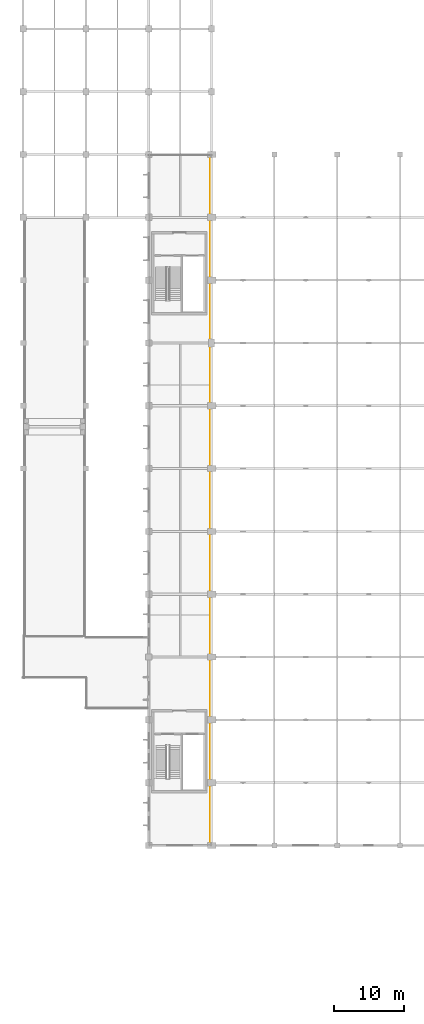
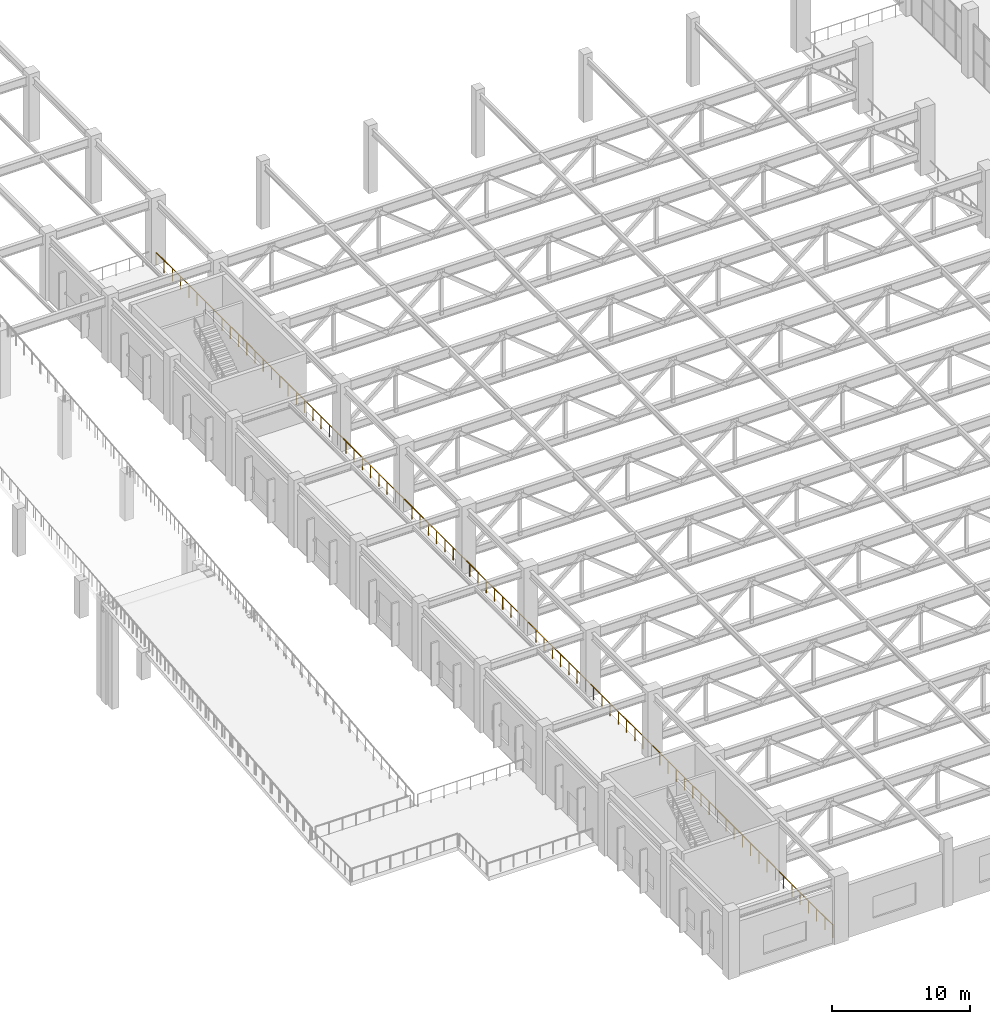
# One storey, part 205 of 223: 1 railing.
"""IFC4 building model written with IfcOpenShell, lengths in metres."""

import ifcopenshell
import ifcopenshell.guid

model = None  # the IFC model being written
_history = None  # IfcOwnerHistory: only IFC2X3 demands one
_inside = {}  # id of a spatial element -> (the spatial element, [elements in it])
_under = {}  # id of a project, library or spatial element -> (it, [spatial elements below it])
_declared = {}  # id of a project -> (the project, [libraries it declares])
_typed = {}  # id of a type object -> (the type object, [elements of that type])
_made_of = {}  # id of a material, layer set ... -> (it, [elements and type objects made of it])


def new_model(schema):
    """Start an empty IFC model of exactly this schema.

    Asked for "IFC4X3", IfcOpenShell would pick the latest addendum, in which some entities
    have other attributes; the version numbers below select the first issue.
    IFC2X3 requires an IfcOwnerHistory on every rooted entity: one is made here for all.
    """
    global model, _history
    if schema == "IFC4X3":
        model = ifcopenshell.file(schema_version=(4, 3, 0, 0))
    else:
        model = ifcopenshell.file(schema=schema)
    _inside.clear()
    _under.clear()
    _declared.clear()
    _typed.clear()
    _made_of.clear()
    _history = None
    if model.schema == "IFC2X3":
        org = make("IfcOrganization", Name="unknown")
        user = make(
            "IfcPersonAndOrganization",
            ThePerson=make("IfcPerson", FamilyName="unknown"),
            TheOrganization=org,
        )
        app = make(
            "IfcApplication",
            ApplicationDeveloper=org,
            Version="unknown",
            ApplicationFullName="unknown",
            ApplicationIdentifier="unknown",
        )
        _history = make(
            "IfcOwnerHistory",
            OwningUser=user,
            OwningApplication=app,
            ChangeAction="ADDED",
            CreationDate=0,
        )
    return model


def make(cls, **values):
    """One entity of the class cls with the attributes given. An attribute that is None is left unset."""
    return model.create_entity(
        cls, **{name: value for name, value in values.items() if value is not None}
    )


def rooted(cls, **values):
    """An entity with a GlobalId (a new one), such as an element, a storey or a relation."""
    return make(cls, GlobalId=ifcopenshell.guid.new(), OwnerHistory=_history, **values)


def si_unit(unit_type, name, prefix=None):
    """IfcSIUnit, for example si_unit("LENGTHUNIT", "METRE", prefix="MILLI")."""
    return make("IfcSIUnit", UnitType=unit_type, Prefix=prefix, Name=name)


def assignment(units):
    """IfcUnitAssignment: the units of a project."""
    return None if units is None else make("IfcUnitAssignment", Units=units)


def point(xyz):
    """IfcCartesianPoint."""
    return None if xyz is None else make("IfcCartesianPoint", Coordinates=xyz)


def direction(xyz):
    """IfcDirection."""
    return None if xyz is None else make("IfcDirection", DirectionRatios=xyz)


def frame(location, z_axis=None, x_axis=None):
    """IfcAxis2Placement3D, a coordinate frame: its origin and axes. An axis left out is left unset."""
    return make(
        "IfcAxis2Placement3D",
        Location=point(location),
        Axis=direction(z_axis),
        RefDirection=direction(x_axis),
    )


def frame_2d(location, x_axis=None):
    """IfcAxis2Placement2D, a coordinate frame in the plane: its origin and x axis."""
    return make(
        "IfcAxis2Placement2D", Location=point(location), RefDirection=direction(x_axis)
    )


def origin():
    """The frame at (0, 0, 0) with its axes left unset."""
    return frame((0.0, 0.0, 0.0))


def origin_2d():
    """The frame at (0, 0) in the plane with its x axis left unset."""
    return frame_2d((0.0, 0.0))


def place(relative_to, where):
    """IfcLocalPlacement: puts the frame where relative to a parent placement (None: the world)."""
    return make(
        "IfcLocalPlacement", PlacementRelTo=relative_to, RelativePlacement=where
    )


def context(
    kind, dimensions, precision=None, world=None, true_north=None, identifier=None
):
    """IfcGeometricRepresentationContext, for example the 3D "Model" context."""
    return make(
        "IfcGeometricRepresentationContext",
        ContextIdentifier=identifier,
        ContextType=kind,
        CoordinateSpaceDimension=dimensions,
        Precision=precision,
        WorldCoordinateSystem=world,
        TrueNorth=true_north,
    )


def subcontext(parent, identifier, kind, view, scale=None):
    """IfcGeometricRepresentationSubContext, for example "Body" below "Model"."""
    return make(
        "IfcGeometricRepresentationSubContext",
        ContextIdentifier=identifier,
        ContextType=kind,
        ParentContext=parent,
        TargetScale=scale,
        TargetView=view,
    )


def project(units=None, contexts=None):
    """IfcProject with its units and contexts."""
    return rooted(
        "IfcProject",
        Name="project",
        RepresentationContexts=contexts,
        UnitsInContext=assignment(units),
    )


def spatial(cls, under=None, at=None, **own):
    """A site, building, storey or space (cls), placed at a placement, below another one or the project."""
    s = rooted(cls, ObjectPlacement=at, **own)
    if under is not None:
        _under.setdefault(under.id(), (under, []))[1].append(s)
    return s


def profile(cls, at=None, kind="AREA", **sizes):
    """A parametric profile (cls). Its sizes go by their IFC names, for example OverallWidth=200.0."""
    return make(cls, ProfileType=kind, Position=at, **sizes)


def circle(**sizes):
    """IfcCircleProfileDef."""
    return profile("IfcCircleProfileDef", **sizes)


def extrude(swept, where, along, depth):
    """IfcExtrudedAreaSolid: the profile swept, set in the frame where, extruded along a direction by depth."""
    return make(
        "IfcExtrudedAreaSolid",
        SweptArea=swept,
        Position=where,
        ExtrudedDirection=direction(along),
        Depth=depth,
    )


def shape(context_of_items, identifier, shape_type, items):
    """IfcShapeRepresentation: the items that make up one representation, for example the "Body"."""
    return make(
        "IfcShapeRepresentation",
        ContextOfItems=context_of_items,
        RepresentationIdentifier=identifier,
        RepresentationType=shape_type,
        Items=items,
    )


def material(Name=None, Category=None):
    """IfcMaterial."""
    return make("IfcMaterial", Name=Name, Category=Category)


def made_of(thing, what):
    """Note that an element or type object is made of a material, layer set ...; save() writes the relation."""
    if what is not None:
        _made_of.setdefault(what.id(), (what, []))[1].append(thing)
    return thing


def type_object(cls, material=None, **own):
    """A type object (cls), such as IfcWallType, which elements share."""
    return made_of(rooted(cls, **own), material)


def element(
    cls,
    number,
    at=None,
    inside=None,
    cuts=None,
    type_object=None,
    material=None,
    context=None,
    identifier="Body",
    shape_type=None,
    held_by="IfcProductDefinitionShape",
    body=None,
    shapes=None,
    **own,
):
    """One element of the class cls, such as IfcWall. Its Tag is "e" and its number.

    at: its placement. inside: the storey or other place that contains it. cuts: it is an
    opening in that element (IfcRelVoidsElement). A single representation is given by context,
    identifier, shape_type and body (its items); several are given by shapes. held_by: the class
    of the entity that holds the representations. save() writes the other relations.
    """
    e = rooted(cls, Tag="e%d" % number, ObjectPlacement=at, **own)
    if body is not None:
        shapes = [shape(context, identifier, shape_type, body)]
    if shapes is not None:
        e.Representation = make(held_by, Representations=shapes)
    if inside is not None:
        _inside.setdefault(inside.id(), (inside, []))[1].append(e)
    if cuts is not None:
        rooted(
            "IfcRelVoidsElement", RelatingBuildingElement=cuts, RelatedOpeningElement=e
        )
    if type_object is not None:
        _typed.setdefault(type_object.id(), (type_object, []))[1].append(e)
    return made_of(e, material)


def aggregate(whole, parts):
    """IfcRelAggregates: a whole, such as a stair, and the parts it consists of."""
    return rooted("IfcRelAggregates", RelatingObject=whole, RelatedObjects=parts)


def save(model, path):
    """Write the relations noted so far, then the file.

    IfcRelAggregates (storeys below a building ...), IfcRelContainedInSpatialStructure (elements
    in a storey), IfcRelDefinesByType, IfcRelAssociatesMaterial and IfcRelDeclares: one each for
    every whole, place, type object, material and project.
    """
    for whole, parts in _under.values():
        aggregate(whole, parts)
    for where, things in _inside.values():
        rooted(
            "IfcRelContainedInSpatialStructure",
            RelatedElements=things,
            RelatingStructure=where,
        )
    for kind, things in _typed.values():
        rooted("IfcRelDefinesByType", RelatedObjects=things, RelatingType=kind)
    for what, things in _made_of.values():
        rooted("IfcRelAssociatesMaterial", RelatedObjects=things, RelatingMaterial=what)
    for by, libraries in _declared.values():
        rooted("IfcRelDeclares", RelatingContext=by, RelatedDefinitions=libraries)
    model.write(path)


model = new_model("IFC4")

# Units and contexts
model_context = context("Model", 3, precision=1e-05, world=origin(), true_north=direction((0.0, 1.0)))
body_context = subcontext(model_context, "Body", "Model", "MODEL_VIEW")
ifc_project = project(units=[si_unit("LENGTHUNIT", "METRE"), si_unit("AREAUNIT", "SQUARE_METRE"), si_unit("VOLUMEUNIT", "CUBIC_METRE"), si_unit("PLANEANGLEUNIT", "RADIAN"), si_unit("MASSUNIT", "GRAM", prefix="KILO")], contexts=[model_context])

# Site, building, storey
site_placement = place(None, origin())
site = spatial("IfcSite", under=ifc_project, at=site_placement, CompositionType="ELEMENT")
building_placement = place(site_placement, origin())
building = spatial("IfcBuilding", under=site, at=building_placement, Name="Dornveld Trade and Exhibition Forum", CompositionType="ELEMENT")
storey_placement = place(building_placement, frame((0.0, 0.0, 6.0)))
storey = spatial("IfcBuildingStorey", under=building, at=storey_placement, Name="L01", CompositionType="ELEMENT", Elevation=6.0)

# Railing
ifc_material = material(Name="Dark-bronze steel and laminated glass balustrade", Category="steel")
railing_type = type_object("IfcRailingType", Name="RL-BALUST-CONC", PredefinedType="BALUSTRADE", material=ifc_material)
railing_placement = place(storey_placement, frame((26.800048828125, 36.39990234375, 0.0)))
element("IfcRailing", 1, at=railing_placement, inside=storey, type_object=railing_type, Name="L01 protective edge guard 21", PredefinedType="BALUSTRADE", context=body_context, shape_type="SweptSolid", body=[
    extrude(circle(Radius=0.02490234375, at=origin_2d()), frame((0.0, 0.0, 1.09521484375), z_axis=(0.0, 1.0, 0.0), x_axis=(-1.0, 0.0, 0.0)), (0.0, 0.0, 1.0), 98.2001953125),
    extrude(circle(Radius=0.02099609375, at=origin_2d()), origin(), (0.0, 0.0, 1.0), 1.070068359375),
    extrude(circle(Radius=0.02099609375, at=origin_2d()), frame((0.0, 1.197509765625, 0.0)), (0.0, 0.0, 1.0), 1.070068359375),
    extrude(circle(Radius=0.02099609375, at=origin_2d()), frame((0.0, 2.39501953125, 0.0)), (0.0, 0.0, 1.0), 1.070068359375),
    extrude(circle(Radius=0.02099609375, at=origin_2d()), frame((0.0, 3.5927734375, 0.0)), (0.0, 0.0, 1.0), 1.070068359375),
    extrude(circle(Radius=0.02099609375, at=origin_2d()), frame((0.0, 4.790283203125, 0.0)), (0.0, 0.0, 1.0), 1.070068359375),
    extrude(circle(Radius=0.02099609375, at=origin_2d()), frame((0.0, 5.98779296875, 0.0)), (0.0, 0.0, 1.0), 1.070068359375),
    extrude(circle(Radius=0.02099609375, at=origin_2d()), frame((0.0, 7.185302734375, 0.0)), (0.0, 0.0, 1.0), 1.070068359375),
    extrude(circle(Radius=0.02099609375, at=origin_2d()), frame((0.0, 8.383056640625, 0.0)), (0.0, 0.0, 1.0), 1.070068359375),
    extrude(circle(Radius=0.02099609375, at=origin_2d()), frame((0.0, 9.58056640625, 0.0)), (0.0, 0.0, 1.0), 1.070068359375),
    extrude(circle(Radius=0.02099609375, at=origin_2d()), frame((0.0, 10.778076171875, 0.0)), (0.0, 0.0, 1.0), 1.070068359375),
    extrude(circle(Radius=0.02099609375, at=origin_2d()), frame((0.0, 11.9755859375, 0.0)), (0.0, 0.0, 1.0), 1.070068359375),
    extrude(circle(Radius=0.02099609375, at=origin_2d()), frame((0.0, 13.173095703125, 0.0)), (0.0, 0.0, 1.0), 1.070068359375),
    extrude(circle(Radius=0.02099609375, at=origin_2d()), frame((0.0, 14.370849609375, 0.0)), (0.0, 0.0, 1.0), 1.070068359375),
    extrude(circle(Radius=0.02099609375, at=origin_2d()), frame((0.0, 15.568359375, 0.0)), (0.0, 0.0, 1.0), 1.070068359375),
    extrude(circle(Radius=0.02099609375, at=origin_2d()), frame((0.0, 16.765869140625, 0.0)), (0.0, 0.0, 1.0), 1.070068359375),
    extrude(circle(Radius=0.02099609375, at=origin_2d()), frame((0.0, 17.96337890625, 0.0)), (0.0, 0.0, 1.0), 1.070068359375),
    extrude(circle(Radius=0.02099609375, at=origin_2d()), frame((0.0, 19.1611328125, 0.0)), (0.0, 0.0, 1.0), 1.070068359375),
    extrude(circle(Radius=0.02099609375, at=origin_2d()), frame((0.0, 20.358642578125, 0.0)), (0.0, 0.0, 1.0), 1.070068359375),
    extrude(circle(Radius=0.02099609375, at=origin_2d()), frame((0.0, 21.55615234375, 0.0)), (0.0, 0.0, 1.0), 1.070068359375),
    extrude(circle(Radius=0.02099609375, at=origin_2d()), frame((0.0, 22.753662109375, 0.0)), (0.0, 0.0, 1.0), 1.070068359375),
    extrude(circle(Radius=0.02099609375, at=origin_2d()), frame((0.0, 23.951171875, 0.0)), (0.0, 0.0, 1.0), 1.070068359375),
    extrude(circle(Radius=0.02099609375, at=origin_2d()), frame((0.0, 25.14892578125, 0.0)), (0.0, 0.0, 1.0), 1.070068359375),
    extrude(circle(Radius=0.02099609375, at=origin_2d()), frame((0.0, 26.346435546875, 0.0)), (0.0, 0.0, 1.0), 1.070068359375),
    extrude(circle(Radius=0.02099609375, at=origin_2d()), frame((0.0, 27.5439453125, 0.0)), (0.0, 0.0, 1.0), 1.070068359375),
    extrude(circle(Radius=0.02099609375, at=origin_2d()), frame((0.0, 28.741455078125, 0.0)), (0.0, 0.0, 1.0), 1.070068359375),
    extrude(circle(Radius=0.02099609375, at=origin_2d()), frame((0.0, 29.93896484375, 0.0)), (0.0, 0.0, 1.0), 1.070068359375),
    extrude(circle(Radius=0.02099609375, at=origin_2d()), frame((0.0, 31.13671875, 0.0)), (0.0, 0.0, 1.0), 1.070068359375),
    extrude(circle(Radius=0.02099609375, at=origin_2d()), frame((0.0, 32.334228515625, 0.0)), (0.0, 0.0, 1.0), 1.070068359375),
    extrude(circle(Radius=0.02099609375, at=origin_2d()), frame((0.0, 33.53173828125, 0.0)), (0.0, 0.0, 1.0), 1.070068359375),
    extrude(circle(Radius=0.02099609375, at=origin_2d()), frame((0.0, 34.729248046875, 0.0)), (0.0, 0.0, 1.0), 1.070068359375),
    extrude(circle(Radius=0.02099609375, at=origin_2d()), frame((0.0, 35.927001953125, 0.0)), (0.0, 0.0, 1.0), 1.070068359375),
    extrude(circle(Radius=0.02099609375, at=origin_2d()), frame((0.0, 37.12451171875, 0.0)), (0.0, 0.0, 1.0), 1.070068359375),
    extrude(circle(Radius=0.02099609375, at=origin_2d()), frame((0.0, 38.322021484375, 0.0)), (0.0, 0.0, 1.0), 1.070068359375),
    extrude(circle(Radius=0.02099609375, at=origin_2d()), frame((0.0, 39.51953125, 0.0)), (0.0, 0.0, 1.0), 1.070068359375),
    extrude(circle(Radius=0.02099609375, at=origin_2d()), frame((0.0, 40.717041015625, 0.0)), (0.0, 0.0, 1.0), 1.070068359375),
    extrude(circle(Radius=0.02099609375, at=origin_2d()), frame((0.0, 41.914794921875, 0.0)), (0.0, 0.0, 1.0), 1.070068359375),
    extrude(circle(Radius=0.02099609375, at=origin_2d()), frame((0.0, 43.1123046875, 0.0)), (0.0, 0.0, 1.0), 1.070068359375),
    extrude(circle(Radius=0.02099609375, at=origin_2d()), frame((0.0, 44.309814453125, 0.0)), (0.0, 0.0, 1.0), 1.070068359375),
    extrude(circle(Radius=0.02099609375, at=origin_2d()), frame((0.0, 45.50732421875, 0.0)), (0.0, 0.0, 1.0), 1.070068359375),
    extrude(circle(Radius=0.02099609375, at=origin_2d()), frame((0.0, 46.705078125, 0.0)), (0.0, 0.0, 1.0), 1.070068359375),
    extrude(circle(Radius=0.02099609375, at=origin_2d()), frame((0.0, 47.902587890625, 0.0)), (0.0, 0.0, 1.0), 1.070068359375),
    extrude(circle(Radius=0.02099609375, at=origin_2d()), frame((0.0, 49.10009765625, 0.0)), (0.0, 0.0, 1.0), 1.070068359375),
    extrude(circle(Radius=0.02099609375, at=origin_2d()), frame((0.0, 50.297607421875, 0.0)), (0.0, 0.0, 1.0), 1.070068359375),
    extrude(circle(Radius=0.02099609375, at=origin_2d()), frame((0.0, 51.4951171875, 0.0)), (0.0, 0.0, 1.0), 1.070068359375),
    extrude(circle(Radius=0.02099609375, at=origin_2d()), frame((0.0, 52.69287109375, 0.0)), (0.0, 0.0, 1.0), 1.070068359375),
    extrude(circle(Radius=0.02099609375, at=origin_2d()), frame((0.0, 53.890380859375, 0.0)), (0.0, 0.0, 1.0), 1.070068359375),
    extrude(circle(Radius=0.02099609375, at=origin_2d()), frame((0.0, 55.087890625, 0.0)), (0.0, 0.0, 1.0), 1.070068359375),
    extrude(circle(Radius=0.02099609375, at=origin_2d()), frame((0.0, 56.285400390625, 0.0)), (0.0, 0.0, 1.0), 1.070068359375),
    extrude(circle(Radius=0.02099609375, at=origin_2d()), frame((0.0, 57.483154296875, 0.0)), (0.0, 0.0, 1.0), 1.070068359375),
    extrude(circle(Radius=0.02099609375, at=origin_2d()), frame((0.0, 58.6806640625, 0.0)), (0.0, 0.0, 1.0), 1.070068359375),
    extrude(circle(Radius=0.02099609375, at=origin_2d()), frame((0.0, 59.878173828125, 0.0)), (0.0, 0.0, 1.0), 1.070068359375),
    extrude(circle(Radius=0.02099609375, at=origin_2d()), frame((0.0, 61.07568359375, 0.0)), (0.0, 0.0, 1.0), 1.070068359375),
    extrude(circle(Radius=0.02099609375, at=origin_2d()), frame((0.0, 62.273193359375, 0.0)), (0.0, 0.0, 1.0), 1.070068359375),
    extrude(circle(Radius=0.02099609375, at=origin_2d()), frame((0.0, 63.470947265625, 0.0)), (0.0, 0.0, 1.0), 1.070068359375),
    extrude(circle(Radius=0.02099609375, at=origin_2d()), frame((0.0, 64.66845703125, 0.0)), (0.0, 0.0, 1.0), 1.070068359375),
    extrude(circle(Radius=0.02099609375, at=origin_2d()), frame((0.0, 65.865966796875, 0.0)), (0.0, 0.0, 1.0), 1.070068359375),
    extrude(circle(Radius=0.02099609375, at=origin_2d()), frame((0.0, 67.0634765625, 0.0)), (0.0, 0.0, 1.0), 1.070068359375),
    extrude(circle(Radius=0.02099609375, at=origin_2d()), frame((0.0, 68.26123046875, 0.0)), (0.0, 0.0, 1.0), 1.070068359375),
    extrude(circle(Radius=0.02099609375, at=origin_2d()), frame((0.0, 69.458740234375, 0.0)), (0.0, 0.0, 1.0), 1.070068359375),
    extrude(circle(Radius=0.02099609375, at=origin_2d()), frame((0.0, 70.65625, 0.0)), (0.0, 0.0, 1.0), 1.070068359375),
    extrude(circle(Radius=0.02099609375, at=origin_2d()), frame((0.0, 71.853759765625, 0.0)), (0.0, 0.0, 1.0), 1.070068359375),
    extrude(circle(Radius=0.02099609375, at=origin_2d()), frame((0.0, 73.05126953125, 0.0)), (0.0, 0.0, 1.0), 1.070068359375),
    extrude(circle(Radius=0.02099609375, at=origin_2d()), frame((0.0, 74.2490234375, 0.0)), (0.0, 0.0, 1.0), 1.070068359375),
    extrude(circle(Radius=0.02099609375, at=origin_2d()), frame((0.0, 75.446533203125, 0.0)), (0.0, 0.0, 1.0), 1.070068359375),
    extrude(circle(Radius=0.02099609375, at=origin_2d()), frame((0.0, 76.64404296875, 0.0)), (0.0, 0.0, 1.0), 1.070068359375),
    extrude(circle(Radius=0.02099609375, at=origin_2d()), frame((0.0, 77.841552734375, 0.0)), (0.0, 0.0, 1.0), 1.070068359375),
    extrude(circle(Radius=0.02099609375, at=origin_2d()), frame((0.0, 79.0390625, 0.0)), (0.0, 0.0, 1.0), 1.070068359375),
    extrude(circle(Radius=0.02099609375, at=origin_2d()), frame((0.0, 80.23681640625, 0.0)), (0.0, 0.0, 1.0), 1.070068359375),
    extrude(circle(Radius=0.02099609375, at=origin_2d()), frame((0.0, 81.434326171875, 0.0)), (0.0, 0.0, 1.0), 1.070068359375),
    extrude(circle(Radius=0.02099609375, at=origin_2d()), frame((0.0, 82.6318359375, 0.0)), (0.0, 0.0, 1.0), 1.070068359375),
    extrude(circle(Radius=0.02099609375, at=origin_2d()), frame((0.0, 83.829345703125, 0.0)), (0.0, 0.0, 1.0), 1.070068359375),
    extrude(circle(Radius=0.02099609375, at=origin_2d()), frame((0.0, 85.027099609375, 0.0)), (0.0, 0.0, 1.0), 1.070068359375),
    extrude(circle(Radius=0.02099609375, at=origin_2d()), frame((0.0, 86.224609375, 0.0)), (0.0, 0.0, 1.0), 1.070068359375),
    extrude(circle(Radius=0.02099609375, at=origin_2d()), frame((0.0, 87.422119140625, 0.0)), (0.0, 0.0, 1.0), 1.070068359375),
    extrude(circle(Radius=0.02099609375, at=origin_2d()), frame((0.0, 88.61962890625, 0.0)), (0.0, 0.0, 1.0), 1.070068359375),
    extrude(circle(Radius=0.02099609375, at=origin_2d()), frame((0.0, 89.817138671875, 0.0)), (0.0, 0.0, 1.0), 1.070068359375),
    extrude(circle(Radius=0.02099609375, at=origin_2d()), frame((0.0, 91.014892578125, 0.0)), (0.0, 0.0, 1.0), 1.070068359375),
    extrude(circle(Radius=0.02099609375, at=origin_2d()), frame((0.0, 92.21240234375, 0.0)), (0.0, 0.0, 1.0), 1.070068359375),
    extrude(circle(Radius=0.02099609375, at=origin_2d()), frame((0.0, 93.409912109375, 0.0)), (0.0, 0.0, 1.0), 1.070068359375),
    extrude(circle(Radius=0.02099609375, at=origin_2d()), frame((0.0, 94.607421875, 0.0)), (0.0, 0.0, 1.0), 1.070068359375),
    extrude(circle(Radius=0.02099609375, at=origin_2d()), frame((0.0, 95.80517578125, 0.0)), (0.0, 0.0, 1.0), 1.070068359375),
    extrude(circle(Radius=0.02099609375, at=origin_2d()), frame((0.0, 97.002685546875, 0.0)), (0.0, 0.0, 1.0), 1.070068359375),
    extrude(circle(Radius=0.02099609375, at=origin_2d()), frame((0.0, 98.2001953125, 0.0)), (0.0, 0.0, 1.0), 1.070068359375),
])

save(model, "model.ifc")
